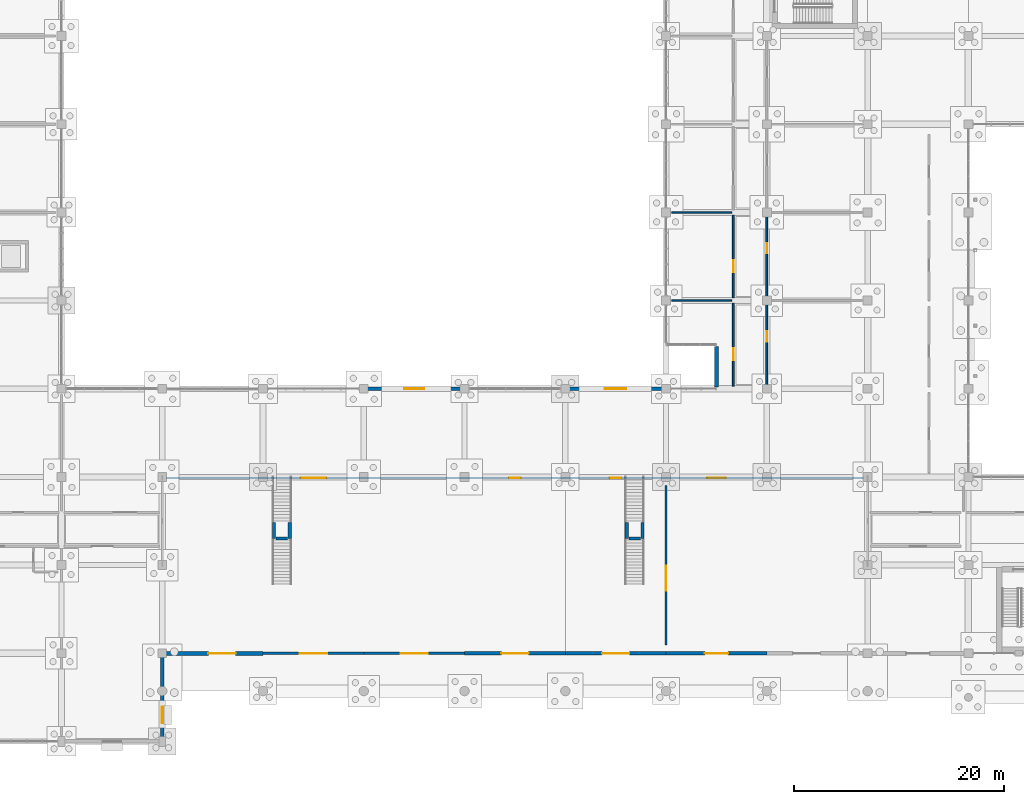
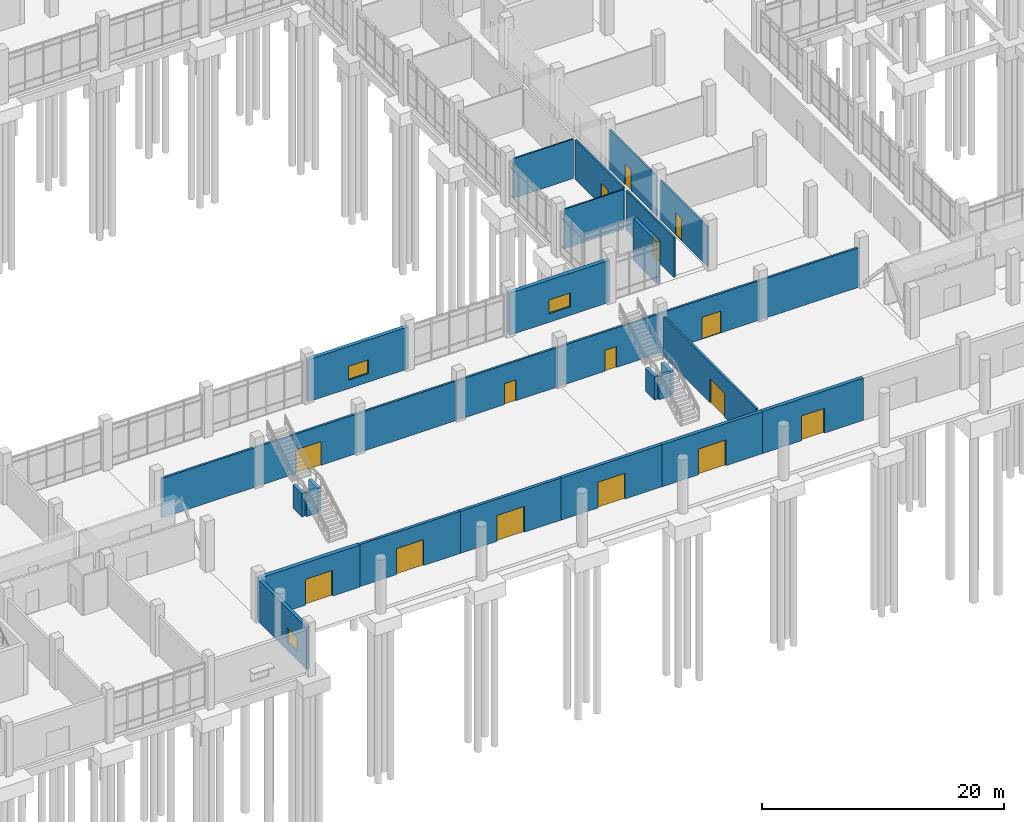
# One storey, part 105 of 136: 24 walls, 15 doors, 3 windows, 18 openings.
"""IFC4 building model written with IfcOpenShell, lengths in metres."""

from ifc_helpers import new_model, si_unit, direction, frame, frame_2d, origin, place, context, subcontext, project, spatial, rectangle, extrude, material, layer, layer_set, type_object, element, fill, save


model = new_model("IFC4")

# Units and contexts
model_context = context("Model", 3, precision=1e-05, world=origin(), true_north=direction((0.0, 1.0)))
body_context = subcontext(model_context, "Body", "Model", "MODEL_VIEW")
ifc_project = project(units=[si_unit("LENGTHUNIT", "METRE"), si_unit("AREAUNIT", "SQUARE_METRE"), si_unit("VOLUMEUNIT", "CUBIC_METRE"), si_unit("PLANEANGLEUNIT", "RADIAN"), si_unit("MASSUNIT", "GRAM", prefix="KILO")], contexts=[model_context])

# Site, building, storey
site_placement = place(None, origin())
site = spatial("IfcSite", under=ifc_project, at=site_placement, CompositionType="ELEMENT")
building_placement = place(site_placement, origin())
building = spatial("IfcBuilding", under=site, at=building_placement, Name="Oolite Switchyard Hospital", CompositionType="ELEMENT")
storey_placement = place(building_placement, origin())
storey = spatial("IfcBuildingStorey", under=building, at=storey_placement, Name="L00", CompositionType="ELEMENT", Elevation=0.0)

# Wall, opening, door
ifc_material_1 = material(Name="Precast oolitic limestone architectural concrete C40/50", Category="masonry")
ifc_layer_1 = layer(ifc_material_1, 0.260009765625)
ifc_layer_set_1 = layer_set([ifc_layer_1], Name="WAL-EXT-260")
wall_type_1 = type_object("IfcWallType", Name="WAL-EXT-260", PredefinedType="SOLIDWALL", material=ifc_layer_set_1)
wall_1_placement = place(storey_placement, frame((86.39990234375, 8.39990234375, 0.0), z_axis=(0.0, 0.0, 1.0), x_axis=(-1.0, 0.0, 0.0)))
wall_1 = element("IfcWall", 1, at=wall_1_placement, inside=storey, type_object=wall_type_1, Name="L00 Exterior Spandrel Wall 7", PredefinedType="SOLIDWALL", context=body_context, shape_type="SweptSolid", body=[
    extrude(rectangle(XDim=9.599853515625, YDim=0.260009765625, at=frame_2d((4.7998046875, 0.0))), origin(), (0.0, 0.0, 1.0), 4.239990234375),
])
opening_1_placement = place(wall_1_placement, frame((3.5, 0.0, 0.0)))
opening_1 = element("IfcOpeningElement", 2, at=opening_1_placement, cuts=wall_1, Name="Opening EX-04", PredefinedType="OPENING", context=body_context, shape_type="SweptSolid", body=[
    extrude(rectangle(XDim=2.60009765625, YDim=2.60009765625, at=frame_2d((1.300048828125, 1.300048828125))), frame((0.0, 0.14013671875, 0.0), z_axis=(0.0, -1.0, 0.0), x_axis=(1.0, 0.0, 0.0)), (0.0, 0.0, 1.0), 0.280029296875),
])
ifc_material_2 = material(Name="Thermally broken aluminum frame with laminated impact glazing", Category="aluminium")
door_type_1 = type_object("IfcDoorType", Name="DR-EXT-260X260", OperationType="NOTDEFINED", PredefinedType="DOOR", material=ifc_material_2)
door_1_placement = place(opening_1_placement, origin())
door_1 = element("IfcDoor", 3, at=door_1_placement, inside=storey, type_object=door_type_1, Name="L00 Exterior EX EX-04", OperationType="DOUBLE_DOOR_SINGLE_SWING", OverallHeight=2.60009765625, OverallWidth=2.60009765625, PredefinedType="DOOR", context=body_context, shape_type="SweptSolid", body=[
    extrude(rectangle(XDim=2.60009765625, YDim=2.60009765625, at=frame_2d((1.300048828125, 1.300048828125))), frame((0.0, 0.02490234375, 0.0), z_axis=(0.0, -1.0, 0.0), x_axis=(1.0, 0.0, 0.0)), (0.0, 0.0, 1.0), 0.050048828125),
])
fill(opening_1, door_1)

ifc_layer_2 = layer(ifc_material_1, 0.280029296875)
ifc_layer_set_2 = layer_set([ifc_layer_2], Name="WAL-EXT-280")
wall_type_2 = type_object("IfcWallType", Name="WAL-EXT-280", PredefinedType="SOLIDWALL", material=ifc_layer_set_2)
wall_2_placement = place(storey_placement, frame((96.0, 8.39990234375, 0.0), z_axis=(0.0, 0.0, 1.0), x_axis=(-1.0, 0.0, 0.0)))
wall_2 = element("IfcWall", 4, at=wall_2_placement, inside=storey, type_object=wall_type_2, Name="L00 Exterior Spandrel Wall 8", PredefinedType="SOLIDWALL", context=body_context, shape_type="SweptSolid", body=[
    extrude(rectangle(XDim=9.60009765625, YDim=0.280029296875, at=frame_2d((4.800048828125, 0.0))), origin(), (0.0, 0.0, 1.0), 4.239990234375),
])
opening_2_placement = place(wall_2_placement, frame((3.5, 0.0, 0.0)))
opening_2 = element("IfcOpeningElement", 5, at=opening_2_placement, cuts=wall_2, Name="Opening EX-05", PredefinedType="OPENING", context=body_context, shape_type="SweptSolid", body=[
    extrude(rectangle(XDim=2.60009765625, YDim=2.60009765625, at=frame_2d((1.300048828125, 1.300048828125))), frame((0.0, 0.14990234375, 0.0), z_axis=(0.0, -1.0, 0.0), x_axis=(1.0, 0.0, 0.0)), (0.0, 0.0, 1.0), 0.300048828125),
])
door_2_placement = place(opening_2_placement, origin())
door_2 = element("IfcDoor", 6, at=door_2_placement, inside=storey, type_object=door_type_1, Name="L00 Exterior EX EX-05", OperationType="DOUBLE_DOOR_SINGLE_SWING", OverallHeight=2.60009765625, OverallWidth=2.60009765625, PredefinedType="DOOR", context=body_context, shape_type="SweptSolid", body=[
    extrude(rectangle(XDim=2.60009765625, YDim=2.60009765625, at=frame_2d((1.300048828125, 1.300048828125))), frame((0.0, 0.02490234375, 0.0), z_axis=(0.0, -1.0, 0.0), x_axis=(1.0, 0.0, 0.0)), (0.0, 0.0, 1.0), 0.050048828125),
])
fill(opening_2, door_2)

ifc_layer_3 = layer(ifc_material_1, 0.300048828125)
ifc_layer_set_3 = layer_set([ifc_layer_3], Name="WAL-EXT-300")
wall_type_3 = type_object("IfcWallType", Name="WAL-EXT-300", PredefinedType="SOLIDWALL", material=ifc_layer_set_3)
wall_3_placement = place(storey_placement, frame((105.60009765625, 8.39990234375, 0.0), z_axis=(0.0, 0.0, 1.0), x_axis=(-1.0, 0.0, 0.0)))
wall_3 = element("IfcWall", 7, at=wall_3_placement, inside=storey, type_object=wall_type_3, Name="L00 Exterior Spandrel Wall 9", PredefinedType="SOLIDWALL", context=body_context, shape_type="SweptSolid", body=[
    extrude(rectangle(XDim=9.60009765625, YDim=0.300048828125, at=frame_2d((4.800048828125, 0.0))), origin(), (0.0, 0.0, 1.0), 4.239990234375),
])
opening_3_placement = place(wall_3_placement, frame((3.5, 0.0, 0.0)))
opening_3 = element("IfcOpeningElement", 8, at=opening_3_placement, cuts=wall_3, Name="Opening EX-06", PredefinedType="OPENING", context=body_context, shape_type="SweptSolid", body=[
    extrude(rectangle(XDim=2.60009765625, YDim=2.60009765625, at=frame_2d((1.300048828125, 1.300048828125))), frame((0.0, 0.16015625, 0.0), z_axis=(0.0, -1.0, 0.0), x_axis=(1.0, 0.0, 0.0)), (0.0, 0.0, 1.0), 0.320068359375),
])
door_3_placement = place(opening_3_placement, origin())
door_3 = element("IfcDoor", 9, at=door_3_placement, inside=storey, type_object=door_type_1, Name="L00 Exterior EX EX-06", OperationType="DOUBLE_DOOR_SINGLE_SWING", OverallHeight=2.60009765625, OverallWidth=2.60009765625, PredefinedType="DOOR", context=body_context, shape_type="SweptSolid", body=[
    extrude(rectangle(XDim=2.60009765625, YDim=2.60009765625, at=frame_2d((1.300048828125, 1.300048828125))), frame((0.0, 0.02490234375, 0.0), z_axis=(0.0, -1.0, 0.0), x_axis=(1.0, 0.0, 0.0)), (0.0, 0.0, 1.0), 0.050048828125),
])
fill(opening_3, door_3)

ifc_layer_4 = layer(ifc_material_1, 0.320068359375)
ifc_layer_set_4 = layer_set([ifc_layer_4], Name="WAL-EXT-320")
wall_type_4 = type_object("IfcWallType", Name="WAL-EXT-320", PredefinedType="SOLIDWALL", material=ifc_layer_set_4)
wall_4_placement = place(storey_placement, frame((115.199951171875, 8.39990234375, 0.0), z_axis=(0.0, 0.0, 1.0), x_axis=(-1.0, 0.0, 0.0)))
wall_4 = element("IfcWall", 10, at=wall_4_placement, inside=storey, type_object=wall_type_4, Name="L00 Exterior Spandrel Wall 10", PredefinedType="SOLIDWALL", context=body_context, shape_type="SweptSolid", body=[
    extrude(rectangle(XDim=9.599853515625, YDim=0.320068359375, at=frame_2d((4.7998046875, 0.0))), origin(), (0.0, 0.0, 1.0), 4.239990234375),
])
opening_4_placement = place(wall_4_placement, frame((3.5, 0.0, 0.0)))
opening_4 = element("IfcOpeningElement", 11, at=opening_4_placement, cuts=wall_4, Name="Opening EX-07", PredefinedType="OPENING", context=body_context, shape_type="SweptSolid", body=[
    extrude(rectangle(XDim=2.60009765625, YDim=2.60009765625, at=frame_2d((1.300048828125, 1.300048828125))), frame((0.0, 0.169921875, 0.0), z_axis=(0.0, -1.0, 0.0), x_axis=(1.0, 0.0, 0.0)), (0.0, 0.0, 1.0), 0.340087890625),
])
door_4_placement = place(opening_4_placement, origin())
door_4 = element("IfcDoor", 12, at=door_4_placement, inside=storey, type_object=door_type_1, Name="L00 Exterior EX EX-07", OperationType="DOUBLE_DOOR_SINGLE_SWING", OverallHeight=2.60009765625, OverallWidth=2.60009765625, PredefinedType="DOOR", context=body_context, shape_type="SweptSolid", body=[
    extrude(rectangle(XDim=2.60009765625, YDim=2.60009765625, at=frame_2d((1.300048828125, 1.300048828125))), frame((0.0, 0.02490234375, 0.0), z_axis=(0.0, -1.0, 0.0), x_axis=(1.0, 0.0, 0.0)), (0.0, 0.0, 1.0), 0.050048828125),
])
fill(opening_4, door_4)

# Wall, opening, window
wall_5_placement = place(storey_placement, frame((67.199951171875, 8.239990234375, 0.0), z_axis=(0.0, 0.0, 1.0), x_axis=(0.0, -1.0, 0.0)))
wall_5 = element("IfcWall", 13, at=wall_5_placement, inside=storey, type_object=wall_type_4, Name="L00 Exterior Spandrel Wall 59", PredefinedType="SOLIDWALL", context=body_context, shape_type="SweptSolid", body=[
    extrude(rectangle(XDim=8.080078125, YDim=0.320068359375, at=frame_2d((4.0400390625, 0.0))), origin(), (0.0, 0.0, 1.0), 4.239990234375),
])
opening_5_placement = place(wall_5_placement, frame((4.925048828125, 0.0, 0.85009765625)))
opening_5 = element("IfcOpeningElement", 14, at=opening_5_placement, cuts=wall_5, Name="Opening WN-0019", PredefinedType="OPENING", context=body_context, shape_type="SweptSolid", body=[
    extrude(rectangle(XDim=1.60009765625, YDim=1.39990234375, at=frame_2d((0.800048828125, 0.699951171875))), frame((0.0, 0.169921875, 0.0), z_axis=(0.0, -1.0, 0.0), x_axis=(1.0, 0.0, 0.0)), (0.0, 0.0, 1.0), 0.340087890625),
])
window_type_1 = type_object("IfcWindowType", Name="WIN-IMP-160X140", PartitioningType="SINGLE_PANEL", PredefinedType="WINDOW", material=ifc_material_2)
window_1_placement = place(opening_5_placement, origin())
window_1 = element("IfcWindow", 15, at=window_1_placement, inside=storey, type_object=window_type_1, Name="L00 Hurricane Impact Window WN-0019", OverallHeight=1.39990234375, OverallWidth=1.60009765625, PartitioningType="SINGLE_PANEL", PredefinedType="WINDOW", context=body_context, shape_type="SweptSolid", body=[
    extrude(rectangle(XDim=1.60009765625, YDim=1.39990234375, at=frame_2d((0.800048828125, 0.699951171875))), frame((0.0, 0.030029296875, 0.0), z_axis=(0.0, -1.0, 0.0), x_axis=(1.0, 0.0, 0.0)), (0.0, 0.0, 1.0), 0.06005859375),
])
fill(opening_5, window_1)

# Wall, opening, door
ifc_layer_5 = layer(ifc_material_1, 0.340087890625)
ifc_layer_set_5 = layer_set([ifc_layer_5], Name="WAL-EXT-340")
wall_type_5 = type_object("IfcWallType", Name="WAL-EXT-340", PredefinedType="SOLIDWALL", material=ifc_layer_set_5)
wall_6_placement = place(storey_placement, frame((124.800048828125, 8.39990234375, 0.0), z_axis=(0.0, 0.0, 1.0), x_axis=(-1.0, 0.0, 0.0)))
wall_6 = element("IfcWall", 16, at=wall_6_placement, inside=storey, type_object=wall_type_5, Name="L00 Exterior Spandrel Wall 11", PredefinedType="SOLIDWALL", context=body_context, shape_type="SweptSolid", body=[
    extrude(rectangle(XDim=9.60009765625, YDim=0.340087890625, at=frame_2d((4.800048828125, 0.0))), origin(), (0.0, 0.0, 1.0), 4.239990234375),
])
opening_6_placement = place(wall_6_placement, frame((3.699951171875, 0.0, 0.0)))
opening_6 = element("IfcOpeningElement", 17, at=opening_6_placement, cuts=wall_6, Name="Opening EX-08", PredefinedType="OPENING", context=body_context, shape_type="SweptSolid", body=[
    extrude(rectangle(XDim=2.199951171875, YDim=2.5, at=frame_2d((1.10009765625, 1.25))), frame((0.0, 0.18017578125, 0.0), z_axis=(0.0, -1.0, 0.0), x_axis=(1.0, 0.0, 0.0)), (0.0, 0.0, 1.0), 0.360107421875),
])
door_type_2 = type_object("IfcDoorType", Name="DR-EXT-220X250", OperationType="NOTDEFINED", PredefinedType="DOOR", material=ifc_material_2)
door_5_placement = place(opening_6_placement, origin())
door_5 = element("IfcDoor", 18, at=door_5_placement, inside=storey, type_object=door_type_2, Name="L00 Exterior EX EX-08", OperationType="DOUBLE_DOOR_SINGLE_SWING", OverallHeight=2.5, OverallWidth=2.199951171875, PredefinedType="DOOR", context=body_context, shape_type="SweptSolid", body=[
    extrude(rectangle(XDim=2.199951171875, YDim=2.5, at=frame_2d((1.10009765625, 1.25))), frame((0.0, 0.02490234375, 0.0), z_axis=(0.0, -1.0, 0.0), x_axis=(1.0, 0.0, 0.0)), (0.0, 0.0, 1.0), 0.050048828125),
])
fill(opening_6, door_5)

# Wall
wall_7_placement = place(storey_placement, frame((120.0, 33.760009765625, 0.0), z_axis=(0.0, 0.0, 1.0), x_axis=(0.0, 1.0, 0.0)))
element("IfcWall", 19, at=wall_7_placement, inside=storey, type_object=wall_type_5, Name="L00 Exterior Spandrel Wall 60", PredefinedType="SOLIDWALL", context=body_context, shape_type="SweptSolid", body=[
    extrude(rectangle(XDim=3.8798828125, YDim=0.340087890625, at=frame_2d((1.93994140625, 0.0))), origin(), (0.0, 0.0, 1.0), 4.239990234375),
])

# Wall, opening, window
ifc_layer_6 = layer(ifc_material_1, 0.360107421875)
ifc_layer_set_6 = layer_set([ifc_layer_6], Name="WAL-EXT-360")
wall_type_6 = type_object("IfcWallType", Name="WAL-EXT-360", PredefinedType="SOLIDWALL", material=ifc_layer_set_6)
wall_8_placement = place(storey_placement, frame((86.39990234375, 33.60009765625, 0.0), z_axis=(0.0, 0.0, 1.0), x_axis=(1.0, 0.0, 0.0)))
wall_8 = element("IfcWall", 20, at=wall_8_placement, inside=storey, type_object=wall_type_6, Name="L00 Exterior Spandrel Wall 19", PredefinedType="SOLIDWALL", context=body_context, shape_type="SweptSolid", body=[
    extrude(rectangle(XDim=9.60009765625, YDim=0.360107421875, at=frame_2d((4.800048828125, 0.0))), origin(), (0.0, 0.0, 1.0), 4.239990234375),
])
opening_7_placement = place(wall_8_placement, frame((3.85009765625, 0.0, 0.85009765625)))
opening_7 = element("IfcOpeningElement", 21, at=opening_7_placement, cuts=wall_8, Name="Opening WN-0004", PredefinedType="OPENING", context=body_context, shape_type="SweptSolid", body=[
    extrude(rectangle(XDim=1.89990234375, YDim=1.39990234375, at=frame_2d((0.949951171875, 0.699951171875))), frame((0.0, 0.18994140625, 0.0), z_axis=(0.0, -1.0, 0.0), x_axis=(1.0, 0.0, 0.0)), (0.0, 0.0, 1.0), 0.380126953125),
])
window_type_2 = type_object("IfcWindowType", Name="WIN-IMP-190X140", PartitioningType="SINGLE_PANEL", PredefinedType="WINDOW", material=ifc_material_2)
window_2_placement = place(opening_7_placement, origin())
window_2 = element("IfcWindow", 22, at=window_2_placement, inside=storey, type_object=window_type_2, Name="L00 Hurricane Impact Window WN-0004", OverallHeight=1.39990234375, OverallWidth=1.89990234375, PartitioningType="SINGLE_PANEL", PredefinedType="WINDOW", context=body_context, shape_type="SweptSolid", body=[
    extrude(rectangle(XDim=1.89990234375, YDim=1.39990234375, at=frame_2d((0.949951171875, 0.699951171875))), frame((0.0, 0.030029296875, 0.0), z_axis=(0.0, -1.0, 0.0), x_axis=(1.0, 0.0, 0.0)), (0.0, 0.0, 1.0), 0.06005859375),
])
fill(opening_7, window_2)

# Wall, opening, door
ifc_layer_7 = layer(ifc_material_1, 0.3798828125)
ifc_layer_set_7 = layer_set([ifc_layer_7], Name="WAL-EXT-380")
wall_type_7 = type_object("IfcWallType", Name="WAL-EXT-380", PredefinedType="SOLIDWALL", material=ifc_layer_set_7)
wall_9_placement = place(storey_placement, frame((76.800048828125, 8.39990234375, 0.0), z_axis=(0.0, 0.0, 1.0), x_axis=(-1.0, 0.0, 0.0)))
wall_9 = element("IfcWall", 23, at=wall_9_placement, inside=storey, type_object=wall_type_7, Name="L00 Exterior Spandrel Wall 6", PredefinedType="SOLIDWALL", context=body_context, shape_type="SweptSolid", body=[
    extrude(rectangle(XDim=9.60009765625, YDim=0.3798828125, at=frame_2d((4.800048828125, 0.0))), origin(), (0.0, 0.0, 1.0), 4.239990234375),
])
opening_8_placement = place(wall_9_placement, frame((2.60009765625, 0.0, 0.0)))
opening_8 = element("IfcOpeningElement", 24, at=opening_8_placement, cuts=wall_9, Name="Opening EX-03", PredefinedType="OPENING", context=body_context, shape_type="SweptSolid", body=[
    extrude(rectangle(XDim=2.60009765625, YDim=2.60009765625, at=frame_2d((1.300048828125, 1.300048828125))), frame((0.0, 0.199951171875, 0.0), z_axis=(0.0, -1.0, 0.0), x_axis=(1.0, 0.0, 0.0)), (0.0, 0.0, 1.0), 0.39990234375),
])
door_6_placement = place(opening_8_placement, origin())
door_6 = element("IfcDoor", 25, at=door_6_placement, inside=storey, type_object=door_type_1, Name="L00 Exterior EX EX-03", OperationType="DOUBLE_DOOR_SINGLE_SWING", OverallHeight=2.60009765625, OverallWidth=2.60009765625, PredefinedType="DOOR", context=body_context, shape_type="SweptSolid", body=[
    extrude(rectangle(XDim=2.60009765625, YDim=2.60009765625, at=frame_2d((1.300048828125, 1.300048828125))), frame((0.0, 0.02490234375, 0.0), z_axis=(0.0, -1.0, 0.0), x_axis=(1.0, 0.0, 0.0)), (0.0, 0.0, 1.0), 0.050048828125),
])
fill(opening_8, door_6)

# Wall, opening, window
wall_10_placement = place(storey_placement, frame((105.60009765625, 33.60009765625, 0.0), z_axis=(0.0, 0.0, 1.0), x_axis=(1.0, 0.0, 0.0)))
wall_10 = element("IfcWall", 26, at=wall_10_placement, inside=storey, type_object=wall_type_7, Name="L00 Exterior Spandrel Wall 20", PredefinedType="SOLIDWALL", context=body_context, shape_type="SweptSolid", body=[
    extrude(rectangle(XDim=9.599853515625, YDim=0.3798828125, at=frame_2d((4.7998046875, 0.0))), origin(), (0.0, 0.0, 1.0), 4.239990234375),
])
opening_9_placement = place(wall_10_placement, frame((3.77490234375, 0.0, 0.85009765625)))
opening_9 = element("IfcOpeningElement", 27, at=opening_9_placement, cuts=wall_10, Name="Opening WN-0005", PredefinedType="OPENING", context=body_context, shape_type="SweptSolid", body=[
    extrude(rectangle(XDim=2.050048828125, YDim=1.39990234375, at=frame_2d((1.02490234375, 0.699951171875))), frame((0.0, 0.199951171875, 0.0), z_axis=(0.0, -1.0, 0.0), x_axis=(1.0, 0.0, 0.0)), (0.0, 0.0, 1.0), 0.39990234375),
])
window_type_3 = type_object("IfcWindowType", Name="WIN-IMP-205X140", PartitioningType="SINGLE_PANEL", PredefinedType="WINDOW", material=ifc_material_2)
window_3_placement = place(opening_9_placement, origin())
window_3 = element("IfcWindow", 28, at=window_3_placement, inside=storey, type_object=window_type_3, Name="L00 Hurricane Impact Window WN-0005", OverallHeight=1.39990234375, OverallWidth=2.050048828125, PartitioningType="SINGLE_PANEL", PredefinedType="WINDOW", context=body_context, shape_type="SweptSolid", body=[
    extrude(rectangle(XDim=2.050048828125, YDim=1.39990234375, at=frame_2d((1.02490234375, 0.699951171875))), frame((0.0, 0.030029296875, 0.0), z_axis=(0.0, -1.0, 0.0), x_axis=(1.0, 0.0, 0.0)), (0.0, 0.0, 1.0), 0.06005859375),
])
fill(opening_9, window_3)

# Walls
ifc_material_3 = material(Name="Moisture-resistant gypsum board on steel studs", Category="steel")
ifc_layer_8 = layer(ifc_material_3, 0.135009765625)
ifc_layer_set_8 = layer_set([ifc_layer_8], Name="WAL-PART-135")
wall_type_8 = type_object("IfcWallType", Name="WAL-PART-135", PredefinedType="PARTITIONING", material=ifc_layer_set_8)
for number, where, z_axis, x_axis, name in (
    (29, (115.75, 42.0, 0.0), (0.0, 0.0, 1.0), (1.0, 0.0, 0.0), "L00 Interior Partition 54"),
    (30, (115.75, 50.39990234375, 0.0), (0.0, 0.0, 1.0), (1.0, 0.0, 0.0), "L00 Interior Partition 58"),
):
    element("IfcWall", number, at=place(storey_placement, frame(where, z_axis=z_axis, x_axis=x_axis)), inside=storey, type_object=wall_type_8, Name=name, PredefinedType="PARTITIONING", context=body_context, shape_type="SweptSolid", body=[
        extrude(rectangle(XDim=5.699951171875, YDim=0.135009765625, at=frame_2d((2.85009765625, 0.0))), origin(), (0.0, 0.0, 1.0), 3.97998046875),
    ])

# Wall, opening, door
ifc_layer_9 = layer(ifc_material_3, 0.1650390625)
ifc_layer_set_9 = layer_set([ifc_layer_9], Name="WAL-PART-165")
wall_type_9 = type_object("IfcWallType", Name="WAL-PART-165", PredefinedType="PARTITIONING", material=ifc_layer_set_9)
wall_11_placement = place(storey_placement, frame((121.60009765625, 33.85009765625, 0.0), z_axis=(0.0, 0.0, 1.0), x_axis=(0.0, 1.0, 0.0)))
wall_11 = element("IfcWall", 31, at=wall_11_placement, inside=storey, type_object=wall_type_9, Name="L00 Interior Partition 51", PredefinedType="PARTITIONING", context=body_context, shape_type="SweptSolid", body=[
    extrude(rectangle(XDim=7.89990234375, YDim=0.1650390625, at=frame_2d((3.949951171875, 0.0))), origin(), (0.0, 0.0, 1.0), 3.97998046875),
])
opening_10_placement = place(wall_11_placement, frame((2.449951171875, 0.0, 0.0)))
opening_10 = element("IfcOpeningElement", 32, at=opening_10_placement, cuts=wall_11, Name="Opening D-0032", PredefinedType="OPENING", context=body_context, shape_type="SweptSolid", body=[
    extrude(rectangle(XDim=1.14990234375, YDim=2.199951171875, at=frame_2d((0.574951171875, 1.10009765625))), frame((0.0, 0.092529296875, 0.0), z_axis=(0.0, -1.0, 0.0), x_axis=(1.0, 0.0, 0.0)), (0.0, 0.0, 1.0), 0.18505859375),
])
ifc_material_4 = material(Name="Solid-core antimicrobial hardwood leaf in steel frame", Category="steel")
door_type_3 = type_object("IfcDoorType", Name="DR-CLIN-115X220", OperationType="NOTDEFINED", PredefinedType="DOOR", material=ifc_material_4)
door_7_placement = place(opening_10_placement, origin())
door_7 = element("IfcDoor", 33, at=door_7_placement, inside=storey, type_object=door_type_3, Name="L00 Interior Door D-0032", OperationType="SINGLE_SWING_LEFT", OverallHeight=2.199951171875, OverallWidth=1.14990234375, PredefinedType="DOOR", context=body_context, shape_type="SweptSolid", body=[
    extrude(rectangle(XDim=1.14990234375, YDim=2.199951171875, at=frame_2d((0.574951171875, 1.10009765625))), frame((0.0, 0.02490234375, 0.0), z_axis=(0.0, -1.0, 0.0), x_axis=(1.0, 0.0, 0.0)), (0.0, 0.0, 1.0), 0.050048828125),
])
fill(opening_10, door_7)

wall_12_placement = place(storey_placement, frame((124.800048828125, 33.85009765625, 0.0), z_axis=(0.0, 0.0, 1.0), x_axis=(0.0, 1.0, 0.0)))
wall_12 = element("IfcWall", 34, at=wall_12_placement, inside=storey, type_object=wall_type_9, Name="L00 Interior Partition 52", PredefinedType="PARTITIONING", context=body_context, shape_type="SweptSolid", body=[
    extrude(rectangle(XDim=7.89990234375, YDim=0.1650390625, at=frame_2d((3.949951171875, 0.0))), origin(), (0.0, 0.0, 1.0), 3.97998046875),
])
opening_11_placement = place(wall_12_placement, frame((4.25, 0.0, 0.0)))
opening_11 = element("IfcOpeningElement", 35, at=opening_11_placement, cuts=wall_12, Name="Opening D-0033", PredefinedType="OPENING", context=body_context, shape_type="SweptSolid", body=[
    extrude(rectangle(XDim=1.0, YDim=2.199951171875, at=frame_2d((0.5, 1.10009765625))), frame((0.0, 0.092529296875, 0.0), z_axis=(0.0, -1.0, 0.0), x_axis=(1.0, 0.0, 0.0)), (0.0, 0.0, 1.0), 0.18505859375),
])
door_type_4 = type_object("IfcDoorType", Name="DR-OFF-100X220", OperationType="NOTDEFINED", PredefinedType="DOOR", material=ifc_material_4)
door_8_placement = place(opening_11_placement, origin())
door_8 = element("IfcDoor", 36, at=door_8_placement, inside=storey, type_object=door_type_4, Name="L00 Interior Door D-0033", OperationType="SINGLE_SWING_RIGHT", OverallHeight=2.199951171875, OverallWidth=1.0, PredefinedType="DOOR", context=body_context, shape_type="SweptSolid", body=[
    extrude(rectangle(XDim=1.0, YDim=2.199951171875, at=frame_2d((0.5, 1.10009765625))), frame((0.0, 0.02490234375, 0.0), z_axis=(0.0, -1.0, 0.0), x_axis=(1.0, 0.0, 0.0)), (0.0, 0.0, 1.0), 0.050048828125),
])
fill(opening_11, door_8)

wall_13_placement = place(storey_placement, frame((121.60009765625, 42.25, 0.0), z_axis=(0.0, 0.0, 1.0), x_axis=(0.0, 1.0, 0.0)))
wall_13 = element("IfcWall", 37, at=wall_13_placement, inside=storey, type_object=wall_type_9, Name="L00 Interior Partition 53", PredefinedType="PARTITIONING", context=body_context, shape_type="SweptSolid", body=[
    extrude(rectangle(XDim=7.89990234375, YDim=0.1650390625, at=frame_2d((3.949951171875, 0.0))), origin(), (0.0, 0.0, 1.0), 3.97998046875),
])
opening_12_placement = place(wall_13_placement, frame((2.449951171875, 0.0, 0.0)))
opening_12 = element("IfcOpeningElement", 38, at=opening_12_placement, cuts=wall_13, Name="Opening D-0034", PredefinedType="OPENING", context=body_context, shape_type="SweptSolid", body=[
    extrude(rectangle(XDim=1.14990234375, YDim=2.199951171875, at=frame_2d((0.574951171875, 1.10009765625))), frame((0.0, 0.092529296875, 0.0), z_axis=(0.0, -1.0, 0.0), x_axis=(1.0, 0.0, 0.0)), (0.0, 0.0, 1.0), 0.18505859375),
])
door_9_placement = place(opening_12_placement, origin())
door_9 = element("IfcDoor", 39, at=door_9_placement, inside=storey, type_object=door_type_3, Name="L00 Interior Door D-0034", OperationType="SINGLE_SWING_RIGHT", OverallHeight=2.199951171875, OverallWidth=1.14990234375, PredefinedType="DOOR", context=body_context, shape_type="SweptSolid", body=[
    extrude(rectangle(XDim=1.14990234375, YDim=2.199951171875, at=frame_2d((0.574951171875, 1.10009765625))), frame((0.0, 0.02490234375, 0.0), z_axis=(0.0, -1.0, 0.0), x_axis=(1.0, 0.0, 0.0)), (0.0, 0.0, 1.0), 0.050048828125),
])
fill(opening_12, door_9)

wall_14_placement = place(storey_placement, frame((124.800048828125, 42.25, 0.0), z_axis=(0.0, 0.0, 1.0), x_axis=(0.0, 1.0, 0.0)))
wall_14 = element("IfcWall", 40, at=wall_14_placement, inside=storey, type_object=wall_type_9, Name="L00 Interior Partition 55", PredefinedType="PARTITIONING", context=body_context, shape_type="SweptSolid", body=[
    extrude(rectangle(XDim=7.89990234375, YDim=0.1650390625, at=frame_2d((3.949951171875, 0.0))), origin(), (0.0, 0.0, 1.0), 3.97998046875),
])
opening_13_placement = place(wall_14_placement, frame((4.25, 0.0, 0.0)))
opening_13 = element("IfcOpeningElement", 41, at=opening_13_placement, cuts=wall_14, Name="Opening D-0035", PredefinedType="OPENING", context=body_context, shape_type="SweptSolid", body=[
    extrude(rectangle(XDim=0.949951171875, YDim=2.10009765625, at=frame_2d((0.47509765625, 1.050048828125))), frame((0.0, 0.092529296875, 0.0), z_axis=(0.0, -1.0, 0.0), x_axis=(1.0, 0.0, 0.0)), (0.0, 0.0, 1.0), 0.18505859375),
])
door_type_5 = type_object("IfcDoorType", Name="DR-BATH-095X210", OperationType="NOTDEFINED", PredefinedType="DOOR", material=ifc_material_4)
door_10_placement = place(opening_13_placement, origin())
door_10 = element("IfcDoor", 42, at=door_10_placement, inside=storey, type_object=door_type_5, Name="L00 Interior Door D-0035", OperationType="SINGLE_SWING_LEFT", OverallHeight=2.10009765625, OverallWidth=0.949951171875, PredefinedType="DOOR", context=body_context, shape_type="SweptSolid", body=[
    extrude(rectangle(XDim=0.949951171875, YDim=2.10009765625, at=frame_2d((0.47509765625, 1.050048828125))), frame((0.0, 0.02490234375, 0.0), z_axis=(0.0, -1.0, 0.0), x_axis=(1.0, 0.0, 0.0)), (0.0, 0.0, 1.0), 0.050048828125),
])
fill(opening_13, door_10)

# Walls
ifc_material_5 = material(Name="Concrete C50/60", Category="concrete")
ifc_layer_10 = layer(ifc_material_5, 0.300048828125)
ifc_layer_set_10 = layer_set([ifc_layer_10], Name="WAL-SHR-300")
wall_type_10 = type_object("IfcWallType", Name="WAL-SHR-300", PredefinedType="SHEAR", material=ifc_layer_set_10)
for number, where, z_axis, x_axis, name in (
    (43, (77.85009765625, 19.35009765625, 0.0), (0.0, 0.0, 1.0), (0.0, 1.0, 0.0), "L00 ST-M01 Landing Support Pier 1"),
    (44, (79.35009765625, 19.35009765625, 0.0), (0.0, 0.0, 1.0), (0.0, 1.0, 0.0), "L00 ST-M01 Landing Support Pier 2"),
):
    element("IfcWall", number, at=place(storey_placement, frame(where, z_axis=z_axis, x_axis=x_axis)), inside=storey, type_object=wall_type_10, Name=name, PredefinedType="SHEAR", context=body_context, shape_type="SweptSolid", body=[
        extrude(rectangle(XDim=1.5, YDim=0.300048828125, at=frame_2d((0.75, 0.0))), origin(), (0.0, 0.0, 1.0), 2.35009765625),
    ])
wall_15_placement = place(storey_placement, frame((78.050048828125, 19.35009765625, 0.0), z_axis=(0.0, 0.0, 1.0), x_axis=(1.0, 0.0, 0.0)))
element("IfcWall", 45, at=wall_15_placement, inside=storey, type_object=wall_type_10, Name="L00 ST-M01 Landing Support Pier 3", PredefinedType="SHEAR", context=body_context, shape_type="SweptSolid", body=[
    extrude(rectangle(XDim=1.099853515625, YDim=0.300048828125, at=frame_2d((0.5498046875, 0.0))), origin(), (0.0, 0.0, 1.0), 2.35009765625),
])
for number, where, z_axis, x_axis, name in (
    (46, (111.449951171875, 19.35009765625, 0.0), (0.0, 0.0, 1.0), (0.0, 1.0, 0.0), "L00 ST-M02 Landing Support Pier 1"),
    (47, (112.949951171875, 19.35009765625, 0.0), (0.0, 0.0, 1.0), (0.0, 1.0, 0.0), "L00 ST-M02 Landing Support Pier 2"),
):
    element("IfcWall", number, at=place(storey_placement, frame(where, z_axis=z_axis, x_axis=x_axis)), inside=storey, type_object=wall_type_10, Name=name, PredefinedType="SHEAR", context=body_context, shape_type="SweptSolid", body=[
        extrude(rectangle(XDim=1.5, YDim=0.300048828125, at=frame_2d((0.75, 0.0))), origin(), (0.0, 0.0, 1.0), 2.35009765625),
    ])
wall_16_placement = place(storey_placement, frame((111.64990234375, 19.35009765625, 0.0), z_axis=(0.0, 0.0, 1.0), x_axis=(1.0, 0.0, 0.0)))
element("IfcWall", 48, at=wall_16_placement, inside=storey, type_object=wall_type_10, Name="L00 ST-M02 Landing Support Pier 3", PredefinedType="SHEAR", context=body_context, shape_type="SweptSolid", body=[
    extrude(rectangle(XDim=1.10009765625, YDim=0.300048828125, at=frame_2d((0.550048828125, 0.0))), origin(), (0.0, 0.0, 1.0), 2.35009765625),
])

# Wall, openings, doors
ifc_layer_11 = layer(ifc_material_3, 0.199951171875)
ifc_layer_set_11 = layer_set([ifc_layer_11], Name="WAL-SMK-200")
wall_type_11 = type_object("IfcWallType", Name="WAL-SMK-200", PredefinedType="PARTITIONING", material=ifc_layer_set_11)
wall_17_placement = place(storey_placement, frame((67.60009765625, 25.10009765625, 0.0), z_axis=(0.0, 0.0, 1.0), x_axis=(1.0, 0.0, 0.0)))
wall_17 = element("IfcWall", 49, at=wall_17_placement, inside=storey, type_object=wall_type_11, Name="L00 Interior Partition 1", PredefinedType="PARTITIONING", context=body_context, shape_type="SweptSolid", body=[
    extrude(rectangle(XDim=66.39990234375, YDim=0.199951171875, at=frame_2d((33.199951171875, 0.0))), origin(), (0.0, 0.0, 1.0), 3.97998046875),
])
opening_14_placement = place(wall_17_placement, frame((12.800048828125, 0.0, 0.0)))
opening_14 = element("IfcOpeningElement", 50, at=opening_14_placement, cuts=wall_17, Name="Opening D-0001", PredefinedType="OPENING", context=body_context, shape_type="SweptSolid", body=[
    extrude(rectangle(XDim=2.39990234375, YDim=2.39990234375, at=frame_2d((1.199951171875, 1.199951171875))), frame((0.0, 0.10986328125, 0.0), z_axis=(0.0, -1.0, 0.0), x_axis=(1.0, 0.0, 0.0)), (0.0, 0.0, 1.0), 0.219970703125),
])
opening_15_placement = place(wall_17_placement, frame((32.64990234375, 0.0, 0.0)))
opening_15 = element("IfcOpeningElement", 51, at=opening_15_placement, cuts=wall_17, Name="Opening D-0002", PredefinedType="OPENING", context=body_context, shape_type="SweptSolid", body=[
    extrude(rectangle(XDim=1.10009765625, YDim=2.10009765625, at=frame_2d((0.550048828125, 1.050048828125))), frame((0.0, 0.10986328125, 0.0), z_axis=(0.0, -1.0, 0.0), x_axis=(1.0, 0.0, 0.0)), (0.0, 0.0, 1.0), 0.219970703125),
])
opening_16_placement = place(wall_17_placement, frame((42.25, 0.0, 0.0)))
opening_16 = element("IfcOpeningElement", 52, at=opening_16_placement, cuts=wall_17, Name="Opening D-0003", PredefinedType="OPENING", context=body_context, shape_type="SweptSolid", body=[
    extrude(rectangle(XDim=1.10009765625, YDim=2.10009765625, at=frame_2d((0.550048828125, 1.050048828125))), frame((0.0, 0.10986328125, 0.0), z_axis=(0.0, -1.0, 0.0), x_axis=(1.0, 0.0, 0.0)), (0.0, 0.0, 1.0), 0.219970703125),
])
opening_17_placement = place(wall_17_placement, frame((51.5, 0.0, 0.0)))
opening_17 = element("IfcOpeningElement", 53, at=opening_17_placement, cuts=wall_17, Name="Opening D-0004", PredefinedType="OPENING", context=body_context, shape_type="SweptSolid", body=[
    extrude(rectangle(XDim=1.800048828125, YDim=2.199951171875, at=frame_2d((0.89990234375, 1.10009765625))), frame((0.0, 0.10986328125, 0.0), z_axis=(0.0, -1.0, 0.0), x_axis=(1.0, 0.0, 0.0)), (0.0, 0.0, 1.0), 0.219970703125),
])
door_type_6 = type_object("IfcDoorType", Name="DR-CLIN-110X210", OperationType="NOTDEFINED", PredefinedType="DOOR", material=ifc_material_4)
door_11_placement = place(opening_15_placement, origin())
door_11 = element("IfcDoor", 54, at=door_11_placement, inside=storey, type_object=door_type_6, Name="L00 Interior Door D-0002", OperationType="SINGLE_SWING_LEFT", OverallHeight=2.10009765625, OverallWidth=1.10009765625, PredefinedType="DOOR", context=body_context, shape_type="SweptSolid", body=[
    extrude(rectangle(XDim=1.10009765625, YDim=2.10009765625, at=frame_2d((0.550048828125, 1.050048828125))), frame((0.0, 0.02490234375, 0.0), z_axis=(0.0, -1.0, 0.0), x_axis=(1.0, 0.0, 0.0)), (0.0, 0.0, 1.0), 0.050048828125),
])
fill(opening_15, door_11)
door_12_placement = place(opening_16_placement, origin())
door_12 = element("IfcDoor", 55, at=door_12_placement, inside=storey, type_object=door_type_6, Name="L00 Interior Door D-0003", OperationType="SINGLE_SWING_RIGHT", OverallHeight=2.10009765625, OverallWidth=1.10009765625, PredefinedType="DOOR", context=body_context, shape_type="SweptSolid", body=[
    extrude(rectangle(XDim=1.10009765625, YDim=2.10009765625, at=frame_2d((0.550048828125, 1.050048828125))), frame((0.0, 0.02490234375, 0.0), z_axis=(0.0, -1.0, 0.0), x_axis=(1.0, 0.0, 0.0)), (0.0, 0.0, 1.0), 0.050048828125),
])
fill(opening_16, door_12)
ifc_material_6 = material(Name="Hollow metal fire-rated steel door assembly", Category="steel")
door_type_7 = type_object("IfcDoorType", Name="DR-DBL-180X220", OperationType="NOTDEFINED", PredefinedType="DOOR", material=ifc_material_6)
door_13_placement = place(opening_17_placement, origin())
door_13 = element("IfcDoor", 56, at=door_13_placement, inside=storey, type_object=door_type_7, Name="L00 Interior Door D-0004", OperationType="DOUBLE_DOOR_SINGLE_SWING", OverallHeight=2.199951171875, OverallWidth=1.800048828125, PredefinedType="DOOR", context=body_context, shape_type="SweptSolid", body=[
    extrude(rectangle(XDim=1.800048828125, YDim=2.199951171875, at=frame_2d((0.89990234375, 1.10009765625))), frame((0.0, 0.02490234375, 0.0), z_axis=(0.0, -1.0, 0.0), x_axis=(1.0, 0.0, 0.0)), (0.0, 0.0, 1.0), 0.050048828125),
])
fill(opening_17, door_13)
door_type_8 = type_object("IfcDoorType", Name="DR-HALL-240X240", OperationType="NOTDEFINED", PredefinedType="DOOR", material=ifc_material_6)
door_14_placement = place(opening_14_placement, origin())
door_14 = element("IfcDoor", 57, at=door_14_placement, inside=storey, type_object=door_type_8, Name="L00 Interior Door D-0001", OperationType="DOUBLE_DOOR_SINGLE_SWING", OverallHeight=2.39990234375, OverallWidth=2.39990234375, PredefinedType="DOOR", context=body_context, shape_type="SweptSolid", body=[
    extrude(rectangle(XDim=2.39990234375, YDim=2.39990234375, at=frame_2d((1.199951171875, 1.199951171875))), frame((0.0, 0.02490234375, 0.0), z_axis=(0.0, -1.0, 0.0), x_axis=(1.0, 0.0, 0.0)), (0.0, 0.0, 1.0), 0.050048828125),
])
fill(opening_14, door_14)

# Wall, opening, door
wall_18_placement = place(storey_placement, frame((115.199951171875, 9.199951171875, 0.0), z_axis=(0.0, 0.0, 1.0), x_axis=(0.0, 1.0, 0.0)))
wall_18 = element("IfcWall", 58, at=wall_18_placement, inside=storey, type_object=wall_type_11, Name="L00 Interior Partition 2", PredefinedType="PARTITIONING", context=body_context, shape_type="SweptSolid", body=[
    extrude(rectangle(XDim=15.199951171875, YDim=0.199951171875, at=frame_2d((7.60009765625, 0.0))), origin(), (0.0, 0.0, 1.0), 3.97998046875),
])
opening_18_placement = place(wall_18_placement, frame((5.14990234375, 0.0, 0.0)))
opening_18 = element("IfcOpeningElement", 59, at=opening_18_placement, cuts=wall_18, Name="Opening D-0005", PredefinedType="OPENING", context=body_context, shape_type="SweptSolid", body=[
    extrude(rectangle(XDim=2.39990234375, YDim=2.39990234375, at=frame_2d((1.199951171875, 1.199951171875))), frame((0.0, 0.10986328125, 0.0), z_axis=(0.0, -1.0, 0.0), x_axis=(1.0, 0.0, 0.0)), (0.0, 0.0, 1.0), 0.219970703125),
])
door_15_placement = place(opening_18_placement, origin())
door_15 = element("IfcDoor", 60, at=door_15_placement, inside=storey, type_object=door_type_8, Name="L00 Interior Door D-0005", OperationType="DOUBLE_DOOR_SINGLE_SWING", OverallHeight=2.39990234375, OverallWidth=2.39990234375, PredefinedType="DOOR", context=body_context, shape_type="SweptSolid", body=[
    extrude(rectangle(XDim=2.39990234375, YDim=2.39990234375, at=frame_2d((1.199951171875, 1.199951171875))), frame((0.0, 0.02490234375, 0.0), z_axis=(0.0, -1.0, 0.0), x_axis=(1.0, 0.0, 0.0)), (0.0, 0.0, 1.0), 0.050048828125),
])
fill(opening_18, door_15)

save(model, "model.ifc")
